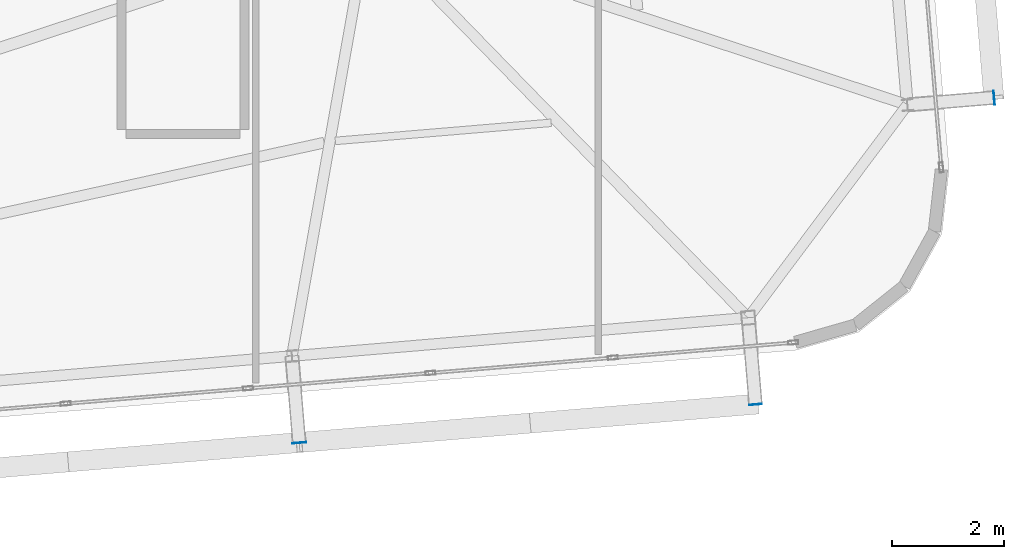
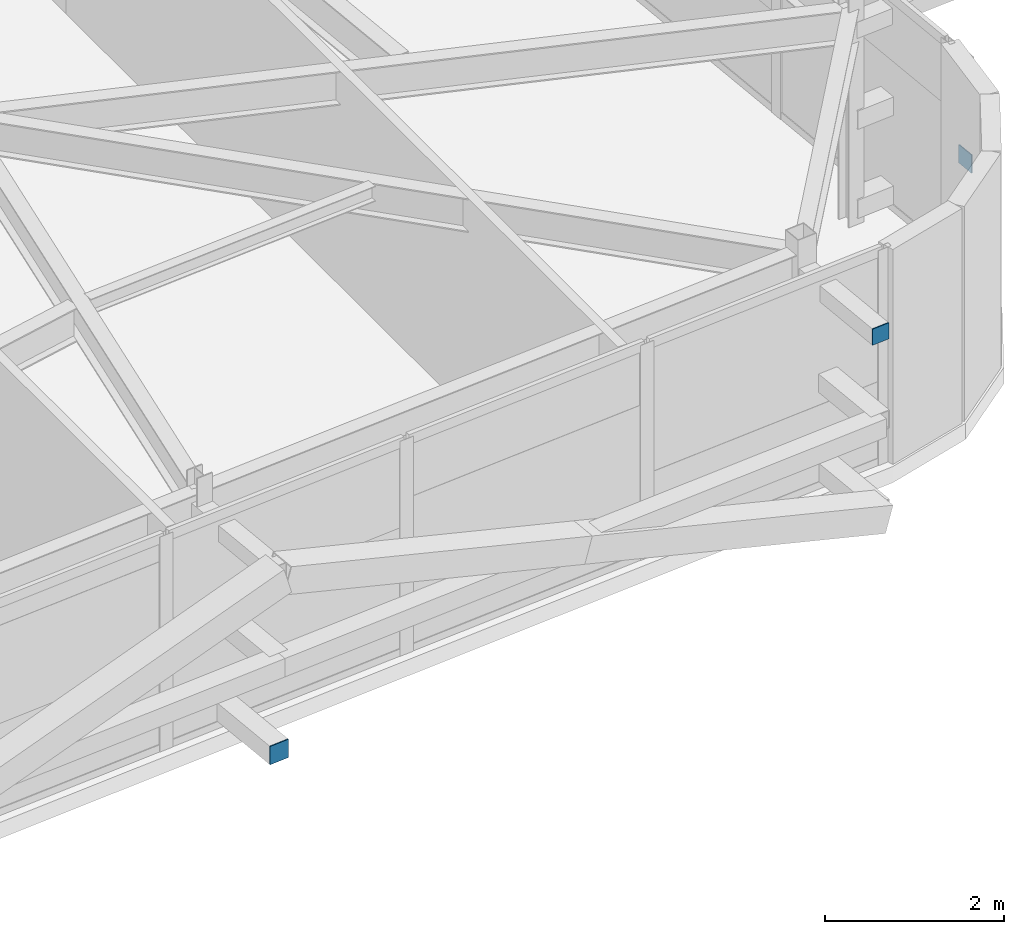
# One storey, part 37 of 46: 3 plates.
"""IFC4 building model written with IfcOpenShell, lengths in metres."""

from ifc_helpers import new_model, si_unit, direction, frame, origin, origin_2d, place, context, subcontext, project, spatial, rectangle, extrude, source, transform, mapped, material, layer, layer_set, type_object, element, save


model = new_model("IFC4")

# Units and contexts
model_context = context("Model", 3, precision=1e-05, world=origin(), true_north=direction((0.0, 1.0)))
body_context = subcontext(model_context, "Body", "Model", "MODEL_VIEW")
ifc_project = project(units=[si_unit("LENGTHUNIT", "METRE"), si_unit("AREAUNIT", "SQUARE_METRE"), si_unit("VOLUMEUNIT", "CUBIC_METRE"), si_unit("PLANEANGLEUNIT", "RADIAN"), si_unit("MASSUNIT", "GRAM", prefix="KILO")], contexts=[model_context])

# Site, building, storey
site_placement = place(None, origin())
site = spatial("IfcSite", under=ifc_project, at=site_placement, CompositionType="ELEMENT")
building_placement = place(site_placement, origin())
building = spatial("IfcBuilding", under=site, at=building_placement, Name="Taldren Reach Tower", CompositionType="ELEMENT")
storey_placement = place(building_placement, frame((0.0, 0.0, 188.300048828125)))
storey = spatial("IfcBuildingStorey", under=building, at=storey_placement, Name="L57", CompositionType="ELEMENT", Elevation=188.300048828125)

# Plates
ifc_material_1 = material(Name="Steel Gr 350 (C350L0)", Category="steel")
ifc_layer_1 = layer(ifc_material_1, 0.011962890625)
ifc_layer_set_1 = layer_set([ifc_layer_1], Name="Steel Gr 350 (C350L0)")
plate_type_1 = type_object("IfcPlateType", Name="PL-CAP-250", PredefinedType="SHEET", material=ifc_layer_set_1)
shared_shape_1 = source(origin(), body_context, "Body", "SweptSolid", [
    extrude(rectangle(XDim=0.25, YDim=0.011962890625, at=origin_2d()), origin(), (0.0, 0.0, 1.0), 0.25),
])
plate_1_placement = place(storey_placement, frame((50.775146484375, 3.281494140625, 0.094970703125), z_axis=(0.0, 0.0, 1.0), x_axis=(0.99649285925, 0.083677843332, 0.0)))
element("IfcPlate", 1, at=plate_1_placement, inside=storey, type_object=plate_type_1, Name="Tie strut end cap plate B4-S5 L57", PredefinedType="SHEET", context=body_context, shape_type="MappedRepresentation", body=[
    mapped(shared_shape_1, transform((0.0, 0.0, 0.0), scale=1.0)),
])
shared_shape_2 = source(origin(), body_context, "Body", "SweptSolid", [
    extrude(rectangle(XDim=0.011962890625, YDim=0.25, at=origin_2d()), origin(), (0.0, 0.0, 1.0), 0.25),
])
plate_2_placement = place(storey_placement, frame((63.188720703125, 9.44775390625, 0.094970703125), z_axis=(0.0, 0.0, 1.0), x_axis=(0.99649285925, 0.083677843332, 0.0)))
element("IfcPlate", 2, at=plate_2_placement, inside=storey, type_object=plate_type_1, Name="Tie strut end cap plate B4-E1 L57", PredefinedType="SHEET", context=body_context, shape_type="MappedRepresentation", body=[
    mapped(shared_shape_2, transform((0.0, 0.0, 0.0), scale=1.0)),
])
ifc_material_2 = material(Name="Steel Gr 450 (C450L0)", Category="steel")
ifc_layer_2 = layer(ifc_material_2, 0.011962890625)
ifc_layer_set_2 = layer_set([ifc_layer_2], Name="Steel Gr 450 (C450L0)")
plate_type_2 = type_object("IfcPlateType", Name="PL-CAP-220", PredefinedType="SHEET", material=ifc_layer_set_2)
shared_shape_3 = source(origin(), body_context, "Body", "SweptSolid", [
    extrude(rectangle(XDim=0.219970703125, YDim=0.011962890625, at=origin_2d()), origin(), (0.0, 0.0, 1.0), 0.219970703125),
])
plate_3_placement = place(storey_placement, frame((58.926513671875, 3.9658203125, 2.5400390625), z_axis=(0.0, 0.0, 1.0), x_axis=(0.99649285925, 0.083677843332, 0.0)))
element("IfcPlate", 3, at=plate_3_placement, inside=storey, type_object=plate_type_2, Name="Tie strut end cap plate B4-S6 L57", PredefinedType="SHEET", context=body_context, shape_type="MappedRepresentation", body=[
    mapped(shared_shape_3, transform((0.0, 0.0, 0.0), scale=1.0)),
])

save(model, "model.ifc")
